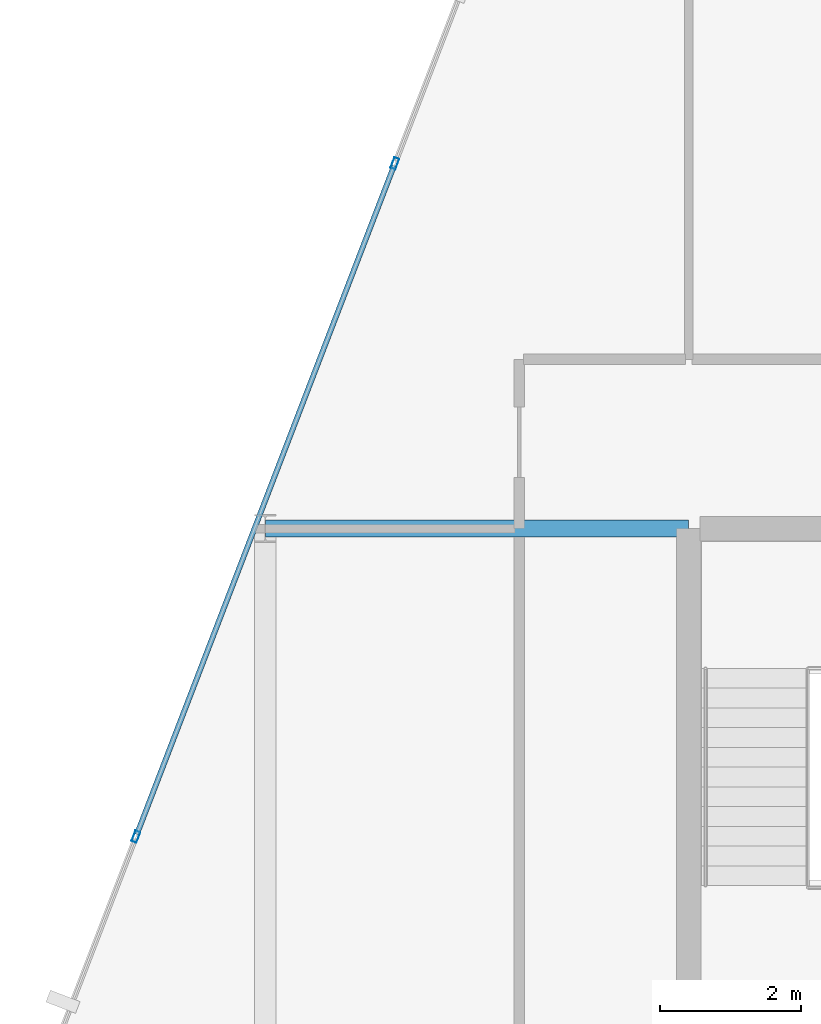
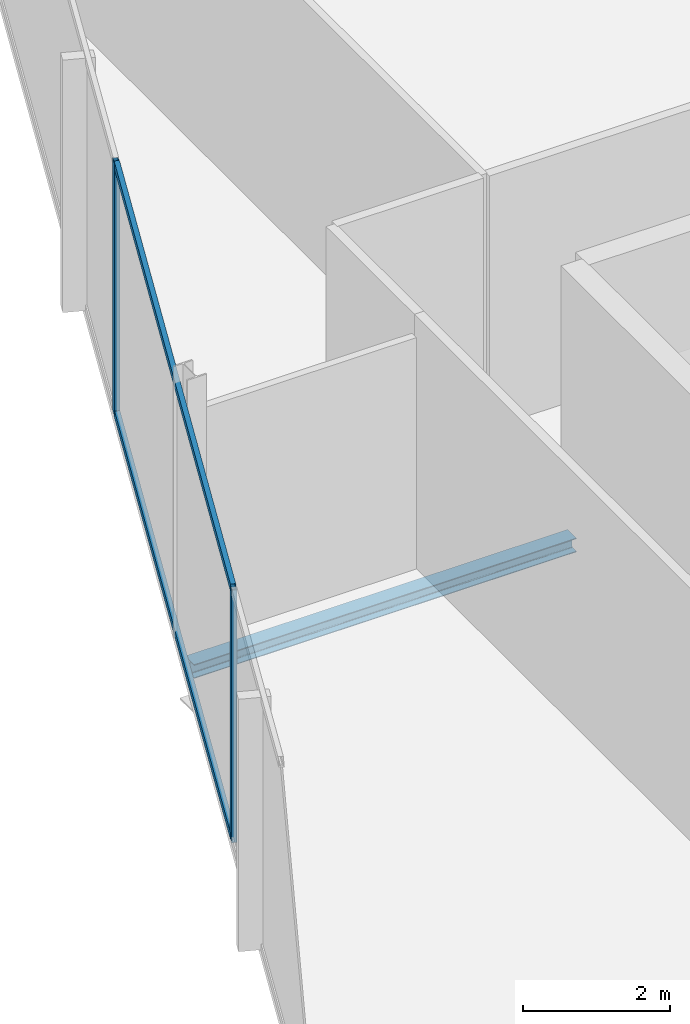
# One storey, part 12 of 24: 4 members, 1 beam, 1 element without a shape of its own.
"""IFC4 building model written with IfcOpenShell, lengths in metres."""

from ifc_helpers import new_model, si_unit, direction, frame, origin, origin_2d, place, context, subcontext, project, spatial, hollow_rectangle, i_section, extrude, material, layer, layer_set, material_profile, profile_set, type_object, element, aggregate, save


model = new_model("IFC4")

# Units and contexts
model_context = context("Model", 3, precision=1e-05, world=origin(), true_north=direction((0.0, 1.0)))
body_context = subcontext(model_context, "Body", "Model", "MODEL_VIEW")
ifc_project = project(units=[si_unit("LENGTHUNIT", "METRE"), si_unit("AREAUNIT", "SQUARE_METRE"), si_unit("VOLUMEUNIT", "CUBIC_METRE"), si_unit("PLANEANGLEUNIT", "RADIAN"), si_unit("MASSUNIT", "GRAM", prefix="KILO")], contexts=[model_context])

# Site, building, storey
site_placement = place(None, origin())
site = spatial("IfcSite", under=ifc_project, at=site_placement, CompositionType="ELEMENT")
building_placement = place(site_placement, origin())
building = spatial("IfcBuilding", under=site, at=building_placement, Name="Keshet Zoharim Tower", CompositionType="ELEMENT")
storey_placement = place(building_placement, frame((0.0, 0.0, 242.800048828125)))
storey = spatial("IfcBuildingStorey", under=building, at=storey_placement, Name="L60", CompositionType="ELEMENT", Elevation=242.800048828125)

# Beam
ifc_material_1 = material(Name="Steel S355", Category="steel")
ifc_material_profile_1 = material_profile(ifc_material_1, i_section(OverallWidth=0.239990234375, OverallDepth=0.22998046875, WebThickness=0.007568359375, FlangeThickness=0.011962890625, FilletRadius=0.02099609375, at=origin_2d()), Name="HEA240")
ifc_profile_set_1 = profile_set([ifc_material_profile_1], Name="Steel S355")
beam_type = type_object("IfcBeamType", Name="BM-LNT-HA240", PredefinedType="LINTEL", material=ifc_profile_set_1)
beam_placement = place(storey_placement, frame((9.0, 37.89990234375, -0.43505859375), z_axis=(1.0, 0.0, 0.0), x_axis=(0.0, 1.0, 0.0)))
element("IfcBeam", 1, at=beam_placement, inside=storey, type_object=beam_type, Name="L60 Primary Girder X-008", PredefinedType="LINTEL", context=body_context, shape_type="SweptSolid", body=[
    extrude(i_section(OverallWidth=0.239990234375, OverallDepth=0.22998046875, WebThickness=0.007568359375, FlangeThickness=0.011962890625, FilletRadius=0.02099609375, at=origin_2d()), origin(), (0.0, 0.0, 1.0), 6.0),
])

# Curtain wall, members
ifc_material_2 = material(Name="Aluminium 6063-T6", Category="aluminium")
ifc_layer = layer(ifc_material_2, 0.260009765625)
ifc_layer_set = layer_set([ifc_layer], Name="Aluminium 6063-T6")
curtain_wall_type = type_object("IfcCurtainWallType", Name="CW-SYS-06", PredefinedType="NOTDEFINED", material=ifc_layer_set)
curtain_wall_placement = place(storey_placement, origin())
curtain_wall = element("IfcCurtainWall", 2, at=curtain_wall_placement, inside=storey, type_object=curtain_wall_type, Name="L60 Unitised Curtain Wall 03", PredefinedType="NOTDEFINED")
ifc_material_profile_2 = material_profile(ifc_material_2, hollow_rectangle(XDim=0.074951171875, YDim=0.159912109375, WallThickness=0.00390625, at=origin_2d()), Name="MUL-75x160")
ifc_profile_set_2 = profile_set([ifc_material_profile_2], Name="Aluminium 6063-T6")
member_type_1 = type_object("IfcMemberType", Name="CWM-M15", PredefinedType="MULLION", material=ifc_profile_set_2)
member_1_placement = place(storey_placement, frame((7.1669921875, 33.53466796875, 0.0), z_axis=(0.0, 0.0, 1.0), x_axis=(-0.933341404361, 0.358990003907, 0.0)))
member_1 = element("IfcMember", 3, at=member_1_placement, type_object=member_type_1, Name="CW-06 mullion 2", PredefinedType="MULLION", context=body_context, shape_type="SweptSolid", body=[
    extrude(hollow_rectangle(XDim=0.074951171875, YDim=0.159912109375, WallThickness=0.00390625, at=origin_2d()), origin(), (0.0, 0.0, 1.0), 4.18994140625),
])
member_2_placement = place(storey_placement, frame((10.8369140625, 43.076416015625, 0.0), z_axis=(0.0, 0.0, 1.0), x_axis=(-0.933341404361, 0.358990003907, 0.0)))
member_2 = element("IfcMember", 4, at=member_2_placement, type_object=member_type_1, Name="CW-06 mullion 3", PredefinedType="MULLION", context=body_context, shape_type="SweptSolid", body=[
    extrude(hollow_rectangle(XDim=0.074951171875, YDim=0.159912109375, WallThickness=0.00390625, at=origin_2d()), origin(), (0.0, 0.0, 1.0), 4.18994140625),
])
ifc_material_profile_3 = material_profile(ifc_material_2, hollow_rectangle(XDim=0.074951171875, YDim=0.1201171875, WallThickness=0.00390625, at=origin_2d()), Name="TRN-75x120")
ifc_profile_set_3 = profile_set([ifc_material_profile_3], Name="Aluminium 6063-T6")
member_type_2 = type_object("IfcMemberType", Name="CWT-T12", PredefinedType="USERDEFINED", material=ifc_profile_set_3)
member_3_placement = place(storey_placement, frame((7.179443359375, 33.5673828125, 0.034912109375), z_axis=(0.359003248899, 0.933336309848, 0.0), x_axis=(-0.933336309848, 0.359003248899, 0.0)))
member_3 = element("IfcMember", 5, at=member_3_placement, type_object=member_type_2, Name="CW-06 transom 2.1", ObjectType="TRANSOM", PredefinedType="USERDEFINED", context=body_context, shape_type="SweptSolid", body=[
    extrude(hollow_rectangle(XDim=0.074951171875, YDim=0.1201171875, WallThickness=0.00390625, at=origin_2d()), origin(), (0.0, 0.0, 1.0), 10.153076171875),
])
member_4_placement = place(storey_placement, frame((7.179443359375, 33.5673828125, 4.155029296875), z_axis=(0.359003248899, 0.933336309848, 0.0), x_axis=(-0.933336309848, 0.359003248899, 0.0)))
member_4 = element("IfcMember", 6, at=member_4_placement, type_object=member_type_2, Name="CW-06 transom 2.2", ObjectType="TRANSOM", PredefinedType="USERDEFINED", context=body_context, shape_type="SweptSolid", body=[
    extrude(hollow_rectangle(XDim=0.074951171875, YDim=0.1201171875, WallThickness=0.00390625, at=origin_2d()), origin(), (0.0, 0.0, 1.0), 10.153076171875),
])
aggregate(curtain_wall, [member_1, member_2, member_3, member_4])

save(model, "model.ifc")
